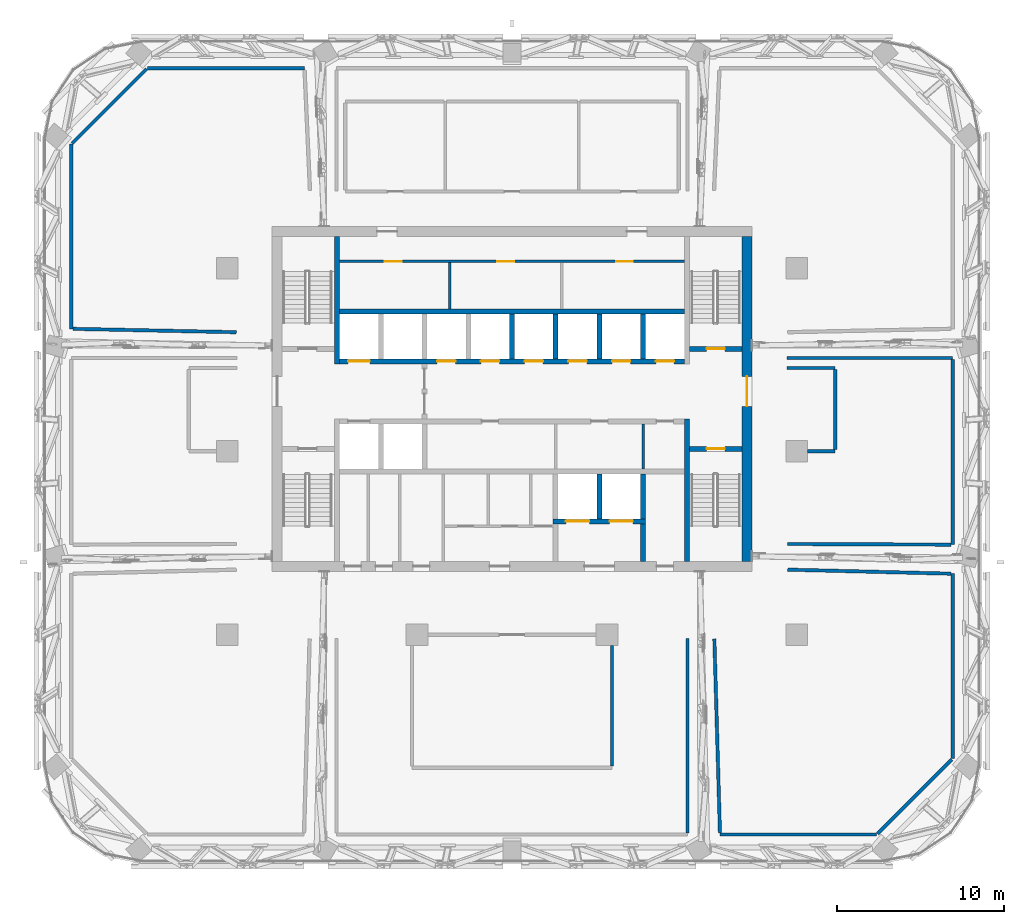
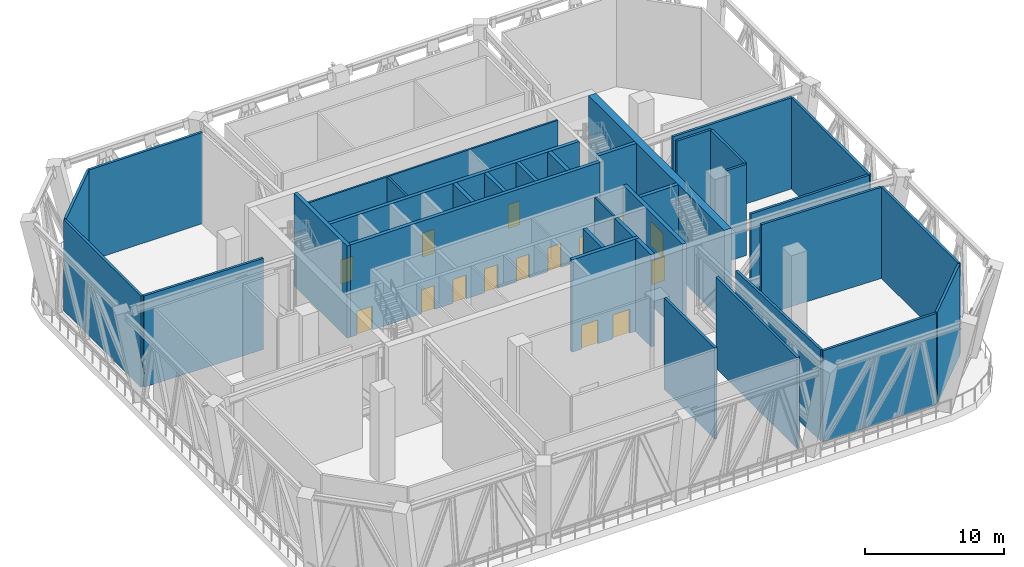
# One storey, part 7 of 24: 35 walls, 15 doors, 15 openings.
"""IFC4 building model written with IfcOpenShell, lengths in metres."""

import ifcopenshell
import ifcopenshell.guid

model = None  # the IFC model being written
_history = None  # IfcOwnerHistory: only IFC2X3 demands one
_inside = {}  # id of a spatial element -> (the spatial element, [elements in it])
_under = {}  # id of a project, library or spatial element -> (it, [spatial elements below it])
_declared = {}  # id of a project -> (the project, [libraries it declares])
_typed = {}  # id of a type object -> (the type object, [elements of that type])
_made_of = {}  # id of a material, layer set ... -> (it, [elements and type objects made of it])


def new_model(schema):
    """Start an empty IFC model of exactly this schema.

    Asked for "IFC4X3", IfcOpenShell would pick the latest addendum, in which some entities
    have other attributes; the version numbers below select the first issue.
    IFC2X3 requires an IfcOwnerHistory on every rooted entity: one is made here for all.
    """
    global model, _history
    if schema == "IFC4X3":
        model = ifcopenshell.file(schema_version=(4, 3, 0, 0))
    else:
        model = ifcopenshell.file(schema=schema)
    _inside.clear()
    _under.clear()
    _declared.clear()
    _typed.clear()
    _made_of.clear()
    _history = None
    if model.schema == "IFC2X3":
        org = make("IfcOrganization", Name="unknown")
        user = make(
            "IfcPersonAndOrganization",
            ThePerson=make("IfcPerson", FamilyName="unknown"),
            TheOrganization=org,
        )
        app = make(
            "IfcApplication",
            ApplicationDeveloper=org,
            Version="unknown",
            ApplicationFullName="unknown",
            ApplicationIdentifier="unknown",
        )
        _history = make(
            "IfcOwnerHistory",
            OwningUser=user,
            OwningApplication=app,
            ChangeAction="ADDED",
            CreationDate=0,
        )
    return model


def make(cls, **values):
    """One entity of the class cls with the attributes given. An attribute that is None is left unset."""
    return model.create_entity(
        cls, **{name: value for name, value in values.items() if value is not None}
    )


def rooted(cls, **values):
    """An entity with a GlobalId (a new one), such as an element, a storey or a relation."""
    return make(cls, GlobalId=ifcopenshell.guid.new(), OwnerHistory=_history, **values)


def si_unit(unit_type, name, prefix=None):
    """IfcSIUnit, for example si_unit("LENGTHUNIT", "METRE", prefix="MILLI")."""
    return make("IfcSIUnit", UnitType=unit_type, Prefix=prefix, Name=name)


def assignment(units):
    """IfcUnitAssignment: the units of a project."""
    return None if units is None else make("IfcUnitAssignment", Units=units)


def point(xyz):
    """IfcCartesianPoint."""
    return None if xyz is None else make("IfcCartesianPoint", Coordinates=xyz)


def direction(xyz):
    """IfcDirection."""
    return None if xyz is None else make("IfcDirection", DirectionRatios=xyz)


def frame(location, z_axis=None, x_axis=None):
    """IfcAxis2Placement3D, a coordinate frame: its origin and axes. An axis left out is left unset."""
    return make(
        "IfcAxis2Placement3D",
        Location=point(location),
        Axis=direction(z_axis),
        RefDirection=direction(x_axis),
    )


def frame_2d(location, x_axis=None):
    """IfcAxis2Placement2D, a coordinate frame in the plane: its origin and x axis."""
    return make(
        "IfcAxis2Placement2D", Location=point(location), RefDirection=direction(x_axis)
    )


def origin():
    """The frame at (0, 0, 0) with its axes left unset."""
    return frame((0.0, 0.0, 0.0))


def place(relative_to, where):
    """IfcLocalPlacement: puts the frame where relative to a parent placement (None: the world)."""
    return make(
        "IfcLocalPlacement", PlacementRelTo=relative_to, RelativePlacement=where
    )


def context(
    kind, dimensions, precision=None, world=None, true_north=None, identifier=None
):
    """IfcGeometricRepresentationContext, for example the 3D "Model" context."""
    return make(
        "IfcGeometricRepresentationContext",
        ContextIdentifier=identifier,
        ContextType=kind,
        CoordinateSpaceDimension=dimensions,
        Precision=precision,
        WorldCoordinateSystem=world,
        TrueNorth=true_north,
    )


def subcontext(parent, identifier, kind, view, scale=None):
    """IfcGeometricRepresentationSubContext, for example "Body" below "Model"."""
    return make(
        "IfcGeometricRepresentationSubContext",
        ContextIdentifier=identifier,
        ContextType=kind,
        ParentContext=parent,
        TargetScale=scale,
        TargetView=view,
    )


def project(units=None, contexts=None):
    """IfcProject with its units and contexts."""
    return rooted(
        "IfcProject",
        Name="project",
        RepresentationContexts=contexts,
        UnitsInContext=assignment(units),
    )


def spatial(cls, under=None, at=None, **own):
    """A site, building, storey or space (cls), placed at a placement, below another one or the project."""
    s = rooted(cls, ObjectPlacement=at, **own)
    if under is not None:
        _under.setdefault(under.id(), (under, []))[1].append(s)
    return s


def profile(cls, at=None, kind="AREA", **sizes):
    """A parametric profile (cls). Its sizes go by their IFC names, for example OverallWidth=200.0."""
    return make(cls, ProfileType=kind, Position=at, **sizes)


def rectangle(**sizes):
    """IfcRectangleProfileDef."""
    return profile("IfcRectangleProfileDef", **sizes)


def extrude(swept, where, along, depth):
    """IfcExtrudedAreaSolid: the profile swept, set in the frame where, extruded along a direction by depth."""
    return make(
        "IfcExtrudedAreaSolid",
        SweptArea=swept,
        Position=where,
        ExtrudedDirection=direction(along),
        Depth=depth,
    )


def shape(context_of_items, identifier, shape_type, items):
    """IfcShapeRepresentation: the items that make up one representation, for example the "Body"."""
    return make(
        "IfcShapeRepresentation",
        ContextOfItems=context_of_items,
        RepresentationIdentifier=identifier,
        RepresentationType=shape_type,
        Items=items,
    )


def material(Name=None, Category=None):
    """IfcMaterial."""
    return make("IfcMaterial", Name=Name, Category=Category)


def layer(
    of_material, thickness, ventilated=None, Name=None, Category=None, Priority=None
):
    """IfcMaterialLayer: one layer of a wall or slab, of a material (None: an air gap)."""
    return make(
        "IfcMaterialLayer",
        Material=of_material,
        LayerThickness=thickness,
        IsVentilated=ventilated,
        Name=Name,
        Category=Category,
        Priority=Priority,
    )


def layer_set(layers, Name=None):
    """IfcMaterialLayerSet."""
    return make("IfcMaterialLayerSet", MaterialLayers=layers, LayerSetName=Name)


def made_of(thing, what):
    """Note that an element or type object is made of a material, layer set ...; save() writes the relation."""
    if what is not None:
        _made_of.setdefault(what.id(), (what, []))[1].append(thing)
    return thing


def type_object(cls, material=None, **own):
    """A type object (cls), such as IfcWallType, which elements share."""
    return made_of(rooted(cls, **own), material)


def element(
    cls,
    number,
    at=None,
    inside=None,
    cuts=None,
    type_object=None,
    material=None,
    context=None,
    identifier="Body",
    shape_type=None,
    held_by="IfcProductDefinitionShape",
    body=None,
    shapes=None,
    **own,
):
    """One element of the class cls, such as IfcWall. Its Tag is "e" and its number.

    at: its placement. inside: the storey or other place that contains it. cuts: it is an
    opening in that element (IfcRelVoidsElement). A single representation is given by context,
    identifier, shape_type and body (its items); several are given by shapes. held_by: the class
    of the entity that holds the representations. save() writes the other relations.
    """
    e = rooted(cls, Tag="e%d" % number, ObjectPlacement=at, **own)
    if body is not None:
        shapes = [shape(context, identifier, shape_type, body)]
    if shapes is not None:
        e.Representation = make(held_by, Representations=shapes)
    if inside is not None:
        _inside.setdefault(inside.id(), (inside, []))[1].append(e)
    if cuts is not None:
        rooted(
            "IfcRelVoidsElement", RelatingBuildingElement=cuts, RelatedOpeningElement=e
        )
    if type_object is not None:
        _typed.setdefault(type_object.id(), (type_object, []))[1].append(e)
    return made_of(e, material)


def fill(opening, filler):
    """IfcRelFillsElement: the door or window that sits in an opening."""
    return rooted(
        "IfcRelFillsElement",
        RelatingOpeningElement=opening,
        RelatedBuildingElement=filler,
    )


def aggregate(whole, parts):
    """IfcRelAggregates: a whole, such as a stair, and the parts it consists of."""
    return rooted("IfcRelAggregates", RelatingObject=whole, RelatedObjects=parts)


def save(model, path):
    """Write the relations noted so far, then the file.

    IfcRelAggregates (storeys below a building ...), IfcRelContainedInSpatialStructure (elements
    in a storey), IfcRelDefinesByType, IfcRelAssociatesMaterial and IfcRelDeclares: one each for
    every whole, place, type object, material and project.
    """
    for whole, parts in _under.values():
        aggregate(whole, parts)
    for where, things in _inside.values():
        rooted(
            "IfcRelContainedInSpatialStructure",
            RelatedElements=things,
            RelatingStructure=where,
        )
    for kind, things in _typed.values():
        rooted("IfcRelDefinesByType", RelatedObjects=things, RelatingType=kind)
    for what, things in _made_of.values():
        rooted("IfcRelAssociatesMaterial", RelatedObjects=things, RelatingMaterial=what)
    for by, libraries in _declared.values():
        rooted("IfcRelDeclares", RelatingContext=by, RelatedDefinitions=libraries)
    model.write(path)


model = new_model("IFC4")

# Units and contexts
model_context = context("Model", 3, precision=1e-05, world=origin(), true_north=direction((0.0, 1.0)))
body_context = subcontext(model_context, "Body", "Model", "MODEL_VIEW")
ifc_project = project(units=[si_unit("LENGTHUNIT", "METRE"), si_unit("AREAUNIT", "SQUARE_METRE"), si_unit("VOLUMEUNIT", "CUBIC_METRE"), si_unit("PLANEANGLEUNIT", "RADIAN"), si_unit("MASSUNIT", "GRAM", prefix="KILO")], contexts=[model_context])

# Site, building, storey
site_placement = place(None, origin())
site = spatial("IfcSite", under=ifc_project, at=site_placement, CompositionType="ELEMENT")
building_placement = place(site_placement, origin())
building = spatial("IfcBuilding", under=site, at=building_placement, Name="Mopane Tessera Tower", CompositionType="ELEMENT")
storey_placement = place(building_placement, frame((0.0, 0.0, 259.0)))
storey = spatial("IfcBuildingStorey", under=building, at=storey_placement, Name="L56", CompositionType="ELEMENT", Elevation=259.0)

# Wall
ifc_material_1 = material(Name="Fire-rated gypsum board partition")
ifc_layer_1 = layer(ifc_material_1, 0.14990234375)
ifc_layer_set_1 = layer_set([ifc_layer_1], Name="Fire-rated gypsum board partition")
wall_type_1 = type_object("IfcWallType", Name="Core room partition 150 mm", PredefinedType="PARTITIONING", material=ifc_layer_set_1)
wall_1_placement = place(storey_placement, frame((-3.75, 8.550048828125, 0.0), z_axis=(0.0, 0.0, 1.0), x_axis=(0.0, 1.0, 0.0)))
element("IfcWall", 1, at=wall_1_placement, inside=storey, type_object=wall_type_1, Name="L56 Room partition", PredefinedType="PARTITIONING", context=body_context, shape_type="SweptSolid", body=[
    extrude(rectangle(XDim=2.77490234375, YDim=0.14990234375, at=frame_2d((1.387451171875, 0.0))), origin(), (0.0, 0.0, 1.0), 8.10009765625),
])

# Wall, openings, doors
wall_2_placement = place(storey_placement, frame((-10.35009765625, 11.39990234375, 0.0), z_axis=(0.0, 0.0, 1.0), x_axis=(1.0, 0.0, 0.0)))
wall_2 = element("IfcWall", 2, at=wall_2_placement, inside=storey, type_object=wall_type_1, Name="L56 Corridor wall", PredefinedType="PARTITIONING", context=body_context, shape_type="SweptSolid", body=[
    extrude(rectangle(XDim=20.7001953125, YDim=0.14990234375, at=frame_2d((10.35009765625, 0.0))), origin(), (0.0, 0.0, 1.0), 8.10009765625),
])
opening_1_placement = place(wall_2_placement, frame((2.72509765625, 0.0, 0.0)))
opening_1 = element("IfcOpeningElement", 3, at=opening_1_placement, cuts=wall_2, Name="Opening RD1", PredefinedType="OPENING", context=body_context, shape_type="SweptSolid", body=[
    extrude(rectangle(XDim=1.0, YDim=2.10009765625, at=frame_2d((0.5, 1.050048828125))), frame((0.0, 0.0869140625, 0.0), z_axis=(0.0, -1.0, 0.0), x_axis=(1.0, 0.0, 0.0)), (0.0, 0.0, 1.0), 0.173828125),
])
opening_2_placement = place(wall_2_placement, frame((9.47509765625, 0.0, 0.0)))
opening_2 = element("IfcOpeningElement", 4, at=opening_2_placement, cuts=wall_2, Name="Opening RD1", PredefinedType="OPENING", context=body_context, shape_type="SweptSolid", body=[
    extrude(rectangle(XDim=1.0, YDim=2.10009765625, at=frame_2d((0.5, 1.050048828125))), frame((0.0, 0.0869140625, 0.0), z_axis=(0.0, -1.0, 0.0), x_axis=(1.0, 0.0, 0.0)), (0.0, 0.0, 1.0), 0.173828125),
])
opening_3_placement = place(wall_2_placement, frame((16.60009765625, 0.0, 0.0)))
opening_3 = element("IfcOpeningElement", 5, at=opening_3_placement, cuts=wall_2, Name="Opening RD1", PredefinedType="OPENING", context=body_context, shape_type="SweptSolid", body=[
    extrude(rectangle(XDim=1.0, YDim=2.10009765625, at=frame_2d((0.5, 1.050048828125))), frame((0.0, 0.0869140625, 0.0), z_axis=(0.0, -1.0, 0.0), x_axis=(1.0, 0.0, 0.0)), (0.0, 0.0, 1.0), 0.173828125),
])
ifc_material_2 = material(Name="Timber door", Category="wood")
door_type_1 = type_object("IfcDoorType", Name="Core room door 1000 x 2100", OperationType="SINGLE_SWING_LEFT", PredefinedType="DOOR", material=ifc_material_2)
door_1_placement = place(opening_1_placement, origin())
door_1 = element("IfcDoor", 6, at=door_1_placement, inside=storey, type_object=door_type_1, Name="L56 Room door", OperationType="SINGLE_SWING_LEFT", OverallHeight=2.10009765625, OverallWidth=1.0, PredefinedType="DOOR", context=body_context, shape_type="SweptSolid", body=[
    extrude(rectangle(XDim=1.0, YDim=2.10009765625, at=frame_2d((0.5, 1.050048828125))), frame((0.0, 0.02490234375, 0.0), z_axis=(0.0, -1.0, 0.0), x_axis=(1.0, 0.0, 0.0)), (0.0, 0.0, 1.0), 0.050048828125),
])
fill(opening_1, door_1)
door_2_placement = place(opening_2_placement, origin())
door_2 = element("IfcDoor", 7, at=door_2_placement, inside=storey, type_object=door_type_1, Name="L56 Room door", OperationType="SINGLE_SWING_LEFT", OverallHeight=2.10009765625, OverallWidth=1.0, PredefinedType="DOOR", context=body_context, shape_type="SweptSolid", body=[
    extrude(rectangle(XDim=1.0, YDim=2.10009765625, at=frame_2d((0.5, 1.050048828125))), frame((0.0, 0.02490234375, 0.0), z_axis=(0.0, -1.0, 0.0), x_axis=(1.0, 0.0, 0.0)), (0.0, 0.0, 1.0), 0.050048828125),
])
fill(opening_2, door_2)
door_3_placement = place(opening_3_placement, origin())
door_3 = element("IfcDoor", 8, at=door_3_placement, inside=storey, type_object=door_type_1, Name="L56 Room door", OperationType="SINGLE_SWING_LEFT", OverallHeight=2.10009765625, OverallWidth=1.0, PredefinedType="DOOR", context=body_context, shape_type="SweptSolid", body=[
    extrude(rectangle(XDim=1.0, YDim=2.10009765625, at=frame_2d((0.5, 1.050048828125))), frame((0.0, 0.02490234375, 0.0), z_axis=(0.0, -1.0, 0.0), x_axis=(1.0, 0.0, 0.0)), (0.0, 0.0, 1.0), 0.050048828125),
])
fill(opening_3, door_3)

# Wall
wall_3_placement = place(storey_placement, frame((7.875, -1.050048828125, 0.0), z_axis=(0.0, 0.0, 1.0), x_axis=(0.0, 1.0, 0.0)))
element("IfcWall", 9, at=wall_3_placement, inside=storey, type_object=wall_type_1, Name="L56 Room partition", PredefinedType="PARTITIONING", context=body_context, shape_type="SweptSolid", body=[
    extrude(rectangle(XDim=2.699951171875, YDim=0.14990234375, at=frame_2d((1.35009765625, 0.0))), origin(), (0.0, 0.0, 1.0), 8.10009765625),
])

# Wall, opening, door
ifc_material_3 = material(Name="Concrete C70/85", Category="concrete")
ifc_layer_2 = layer(ifc_material_3, 0.60009765625)
ifc_layer_set_2 = layer_set([ifc_layer_2], Name="Concrete C70/85")
wall_type_2 = type_object("IfcWallType", Name="Core shear wall 600 mm", PredefinedType="SHEAR", material=ifc_layer_set_2)
wall_4_placement = place(storey_placement, frame((14.10009765625, -6.60009765625, 0.0), z_axis=(0.0, 0.0, 1.0), x_axis=(0.0, 1.0, 0.0)))
wall_4 = element("IfcWall", 10, at=wall_4_placement, inside=storey, type_object=wall_type_2, Name="L56 Core wall east", PredefinedType="SHEAR", context=body_context, shape_type="SweptSolid", body=[
    extrude(rectangle(XDim=19.5, YDim=0.60009765625, at=frame_2d((9.75, 0.0))), origin(), (0.0, 0.0, 1.0), 8.10009765625),
])
opening_4_placement = place(wall_4_placement, frame((9.300048828125, 0.0, 0.0)))
opening_4 = element("IfcOpeningElement", 11, at=opening_4_placement, cuts=wall_4, Name="Opening SD2", PredefinedType="OPENING", context=body_context, shape_type="SweptSolid", body=[
    extrude(rectangle(XDim=1.800048828125, YDim=2.10009765625, at=frame_2d((0.89990234375, 1.050048828125))), frame((0.0, 0.31201171875, 0.0), z_axis=(0.0, -1.0, 0.0), x_axis=(1.0, 0.0, 0.0)), (0.0, 0.0, 1.0), 0.6240234375),
])
ifc_material_4 = material(Name="Steel fire door", Category="steel")
door_type_2 = type_object("IfcDoorType", Name="Core entrance double door 1800 x 2100", OperationType="DOUBLE_DOOR_SINGLE_SWING", PredefinedType="DOOR", material=ifc_material_4)
door_4_placement = place(opening_4_placement, origin())
door_4 = element("IfcDoor", 12, at=door_4_placement, inside=storey, type_object=door_type_2, Name="L56 Core entrance door east", OperationType="DOUBLE_DOOR_SINGLE_SWING", OverallHeight=2.10009765625, OverallWidth=1.800048828125, PredefinedType="DOOR", context=body_context, shape_type="SweptSolid", body=[
    extrude(rectangle(XDim=1.800048828125, YDim=2.10009765625, at=frame_2d((0.89990234375, 1.050048828125))), frame((0.0, 0.02490234375, 0.0), z_axis=(0.0, -1.0, 0.0), x_axis=(1.0, 0.0, 0.0)), (0.0, 0.0, 1.0), 0.050048828125),
])
fill(opening_4, door_4)

# Walls
ifc_material_5 = material(Name="Concrete C60/75", Category="concrete")
ifc_layer_3 = layer(ifc_material_5, 0.300048828125)
ifc_layer_set_3 = layer_set([ifc_layer_3], Name="Concrete C60/75")
wall_type_3 = type_object("IfcWallType", Name="Core spine wall 300 mm", PredefinedType="SHEAR", material=ifc_layer_set_3)
wall_5_placement = place(storey_placement, frame((-10.5, 5.25, 0.0), z_axis=(0.0, 0.0, 1.0), x_axis=(0.0, 1.0, 0.0)))
element("IfcWall", 13, at=wall_5_placement, inside=storey, type_object=wall_type_3, Name="L56 Core spine wall", PredefinedType="SHEAR", context=body_context, shape_type="SweptSolid", body=[
    extrude(rectangle(XDim=7.64990234375, YDim=0.300048828125, at=frame_2d((3.824951171875, 0.0))), origin(), (0.0, 0.0, 1.0), 8.10009765625),
])
wall_6_placement = place(storey_placement, frame((10.5, -6.60009765625, 0.0), z_axis=(0.0, 0.0, 1.0), x_axis=(0.0, 1.0, 0.0)))
element("IfcWall", 14, at=wall_6_placement, inside=storey, type_object=wall_type_3, Name="L56 Core spine wall", PredefinedType="SHEAR", context=body_context, shape_type="SweptSolid", body=[
    extrude(rectangle(XDim=8.550048828125, YDim=0.300048828125, at=frame_2d((4.27490234375, 0.0))), origin(), (0.0, 0.0, 1.0), 8.10009765625),
])
ifc_material_6 = material(Name="Gypsum board on steel studs, two layers each face, mineral wool infill", Category="steel")
ifc_layer_4 = layer(ifc_material_6, 0.199951171875)
ifc_layer_set_4 = layer_set([ifc_layer_4], Name="Gypsum board on steel studs, two layers each face, mineral wool infill")
wall_type_4 = type_object("IfcWallType", Name="Gypsum board corridor wall 200, rated EI 60", PredefinedType="PARTITIONING", material=ifc_layer_set_4)
wall_7_placement = place(storey_placement, frame((12.485107421875, -23.0, 0.0), z_axis=(0.0, 0.0, 1.0), x_axis=(1.0, 0.0, 0.0)))
element("IfcWall", 15, at=wall_7_placement, inside=storey, type_object=wall_type_4, Name="Partition L56:002", PredefinedType="PARTITIONING", context=body_context, shape_type="SweptSolid", body=[
    extrude(rectangle(XDim=9.40478515625, YDim=0.199951171875, at=frame_2d((4.702392578125, 0.0))), origin(), (0.0, 0.0, 1.0), 8.0),
])
wall_8_placement = place(storey_placement, frame((17.75, 0.0, 0.0), z_axis=(0.0, 0.0, 1.0), x_axis=(1.0, 0.0, 0.0)))
element("IfcWall", 16, at=wall_8_placement, inside=storey, type_object=wall_type_4, Name="Partition L56:006", PredefinedType="PARTITIONING", context=body_context, shape_type="SweptSolid", body=[
    extrude(rectangle(XDim=1.64990234375, YDim=0.199951171875, at=frame_2d((0.824951171875, 0.0))), origin(), (0.0, 0.0, 1.0), 8.0),
])
wall_9_placement = place(storey_placement, frame((16.510009765625, 5.0, 0.0), z_axis=(0.0, 0.0, 1.0), x_axis=(1.0, 0.0, 0.0)))
element("IfcWall", 17, at=wall_9_placement, inside=storey, type_object=wall_type_4, Name="Partition L56:008", PredefinedType="PARTITIONING", context=body_context, shape_type="SweptSolid", body=[
    extrude(rectangle(XDim=2.889892578125, YDim=0.199951171875, at=frame_2d((1.44482421875, 0.0))), origin(), (0.0, 0.0, 1.0), 8.0),
])
wall_10_placement = place(storey_placement, frame((16.52001953125, 5.60498046875, 0.0), z_axis=(0.0, 0.0, 1.0), x_axis=(1.0, 0.0, 0.0)))
element("IfcWall", 18, at=wall_10_placement, inside=storey, type_object=wall_type_4, Name="Partition L56:010", PredefinedType="PARTITIONING", context=body_context, shape_type="SweptSolid", body=[
    extrude(rectangle(XDim=9.929931640625, YDim=0.199951171875, at=frame_2d((4.96484375, 0.0))), origin(), (0.0, 0.0, 1.0), 8.0),
])
wall_11_placement = place(storey_placement, frame((-21.889892578125, 23.0, 0.0), z_axis=(0.0, 0.0, 1.0), x_axis=(1.0, 0.0, 0.0)))
element("IfcWall", 19, at=wall_11_placement, inside=storey, type_object=wall_type_4, Name="Partition L56:015", PredefinedType="PARTITIONING", context=body_context, shape_type="SweptSolid", body=[
    extrude(rectangle(XDim=9.434814453125, YDim=0.199951171875, at=frame_2d((4.71728515625, 0.0))), origin(), (0.0, 0.0, 1.0), 8.0),
])
wall_12_placement = place(storey_placement, frame((-26.449951171875, 7.35498046875, 0.0), z_axis=(0.0, 0.0, 1.0), x_axis=(0.0, 1.0, 0.0)))
element("IfcWall", 20, at=wall_12_placement, inside=storey, type_object=wall_type_4, Name="Partition L56:020", PredefinedType="PARTITIONING", context=body_context, shape_type="SweptSolid", body=[
    extrude(rectangle(XDim=11.0849609375, YDim=0.199951171875, at=frame_2d((5.54248046875, 0.0))), origin(), (0.0, 0.0, 1.0), 8.0),
])
wall_13_placement = place(storey_placement, frame((6.0, -18.89990234375, 0.0), z_axis=(0.0, 0.0, 1.0), x_axis=(0.0, 1.0, 0.0)))
element("IfcWall", 21, at=wall_13_placement, inside=storey, type_object=wall_type_4, Name="Partition L56:028", PredefinedType="PARTITIONING", context=body_context, shape_type="SweptSolid", body=[
    extrude(rectangle(XDim=7.25, YDim=0.199951171875, at=frame_2d((3.625, 0.0))), origin(), (0.0, 0.0, 1.0), 8.0),
])
wall_14_placement = place(storey_placement, frame((10.530029296875, -22.89990234375, 0.0), z_axis=(0.0, 0.0, 1.0), x_axis=(0.0, 1.0, 0.0)))
element("IfcWall", 22, at=wall_14_placement, inside=storey, type_object=wall_type_4, Name="Partition L56:030", PredefinedType="PARTITIONING", context=body_context, shape_type="SweptSolid", body=[
    extrude(rectangle(XDim=11.679931640625, YDim=0.199951171875, at=frame_2d((5.83984375, 0.0))), origin(), (0.0, 0.0, 1.0), 8.0),
])
wall_15_placement = place(storey_placement, frame((19.39990234375, 0.10009765625, 0.0), z_axis=(0.0, 0.0, 1.0), x_axis=(0.0, 1.0, 0.0)))
element("IfcWall", 23, at=wall_15_placement, inside=storey, type_object=wall_type_4, Name="Partition L56:032", PredefinedType="PARTITIONING", context=body_context, shape_type="SweptSolid", body=[
    extrude(rectangle(XDim=4.7998046875, YDim=0.199951171875, at=frame_2d((2.39990234375, 0.0))), origin(), (0.0, 0.0, 1.0), 8.0),
])
wall_16_placement = place(storey_placement, frame((26.449951171875, -18.43994140625, 0.0), z_axis=(0.0, 0.0, 1.0), x_axis=(0.0, 1.0, 0.0)))
element("IfcWall", 24, at=wall_16_placement, inside=storey, type_object=wall_type_4, Name="Partition L56:033", PredefinedType="PARTITIONING", context=body_context, shape_type="SweptSolid", body=[
    extrude(rectangle(XDim=11.094970703125, YDim=0.199951171875, at=frame_2d((5.54736328125, 0.0))), origin(), (0.0, 0.0, 1.0), 8.0),
])
wall_17_placement = place(storey_placement, frame((26.449951171875, -5.60009765625, 0.0), z_axis=(0.0, 0.0, 1.0), x_axis=(0.0, 1.0, 0.0)))
element("IfcWall", 25, at=wall_17_placement, inside=storey, type_object=wall_type_4, Name="Partition L56:034", PredefinedType="PARTITIONING", context=body_context, shape_type="SweptSolid", body=[
    extrude(rectangle(XDim=11.10498046875, YDim=0.199951171875, at=frame_2d((5.552490234375, 0.0))), origin(), (0.0, 0.0, 1.0), 8.0),
])
wall_18_placement = place(storey_placement, frame((-16.550048828125, 7.15087890625, 0.0), z_axis=(0.0, 0.0, 1.0), x_axis=(-0.999787325343, 0.020622901905, 0.0)))
element("IfcWall", 26, at=wall_18_placement, inside=storey, type_object=wall_type_4, Name="Partition L56:037", PredefinedType="PARTITIONING", context=body_context, shape_type="SweptSolid", body=[
    extrude(rectangle(XDim=9.80224609375, YDim=0.199951171875, at=frame_2d((4.901123046875, 0.0))), origin(), (0.0, 0.0, 1.0), 8.0),
])
wall_19_placement = place(storey_placement, frame((-26.40087890625, 18.489013671875, 0.0), z_axis=(0.0, 0.0, 1.0), x_axis=(0.707106781187, 0.707106781187, 0.0)))
element("IfcWall", 27, at=wall_19_placement, inside=storey, type_object=wall_type_4, Name="Partition L56:038", PredefinedType="PARTITIONING", context=body_context, shape_type="SweptSolid", body=[
    extrude(rectangle(XDim=6.31005859375, YDim=0.199951171875, at=frame_2d((3.155029296875, 0.0))), origin(), (0.0, 0.0, 1.0), 8.0),
])
wall_20_placement = place(storey_placement, frame((16.550048828125, -7.10107421875, 0.0), z_axis=(0.0, 0.0, 1.0), x_axis=(0.999695391184, -0.024680454714, 0.0)))
element("IfcWall", 28, at=wall_20_placement, inside=storey, type_object=wall_type_4, Name="Partition L56:043", PredefinedType="PARTITIONING", context=body_context, shape_type="SweptSolid", body=[
    extrude(rectangle(XDim=9.802978515625, YDim=0.199951171875, at=frame_2d((4.9013671875, 0.0))), origin(), (0.0, 0.0, 1.0), 8.0),
])
wall_21_placement = place(storey_placement, frame((26.40087890625, -18.489013671875, 0.0), z_axis=(0.0, 0.0, 1.0), x_axis=(-0.707106781187, -0.707106781187, 0.0)))
element("IfcWall", 29, at=wall_21_placement, inside=storey, type_object=wall_type_4, Name="Partition L56:044", PredefinedType="PARTITIONING", context=body_context, shape_type="SweptSolid", body=[
    extrude(rectangle(XDim=6.31005859375, YDim=0.199951171875, at=frame_2d((3.155029296875, 0.0))), origin(), (0.0, 0.0, 1.0), 8.0),
])
wall_22_placement = place(storey_placement, frame((12.48193359375, -22.89990234375, 0.0), z_axis=(0.0, 0.0, 1.0), x_axis=(-0.02882409722, 0.999584499389, 0.0)))
element("IfcWall", 30, at=wall_22_placement, inside=storey, type_object=wall_type_4, Name="Partition L56:045", PredefinedType="PARTITIONING", context=body_context, shape_type="SweptSolid", body=[
    extrude(rectangle(XDim=11.65478515625, YDim=0.199951171875, at=frame_2d((5.827392578125, 0.0))), origin(), (0.0, 0.0, 1.0), 8.0),
])
wall_23_placement = place(storey_placement, frame((26.35009765625, -5.60009765625, 0.0), z_axis=(0.0, 0.0, 1.0), x_axis=(-0.999991654048, 0.004085564168, 0.0)))
element("IfcWall", 31, at=wall_23_placement, inside=storey, type_object=wall_type_4, Name="Partition L56:049", PredefinedType="PARTITIONING", context=body_context, shape_type="SweptSolid", body=[
    extrude(rectangle(XDim=9.800048828125, YDim=0.199951171875, at=frame_2d((4.89990234375, 0.0))), origin(), (0.0, 0.0, 1.0), 8.0),
])

# Wall, opening, door
ifc_material_7 = material(Name="Concrete C50/60", Category="concrete")
ifc_layer_5 = layer(ifc_material_7, 0.300048828125)
ifc_layer_set_5 = layer_set([ifc_layer_5], Name="Concrete C50/60")
wall_type_5 = type_object("IfcWallType", Name="Lift and stair shaft wall 300 mm", PredefinedType="SOLIDWALL", material=ifc_layer_set_5)
wall_24_placement = place(storey_placement, frame((10.64990234375, 0.14990234375, 0.0), z_axis=(0.0, 0.0, 1.0), x_axis=(1.0, 0.0, 0.0)))
wall_24 = element("IfcWall", 32, at=wall_24_placement, inside=storey, type_object=wall_type_5, Name="L56 Stair enclosure wall", PredefinedType="SOLIDWALL", context=body_context, shape_type="SweptSolid", body=[
    extrude(rectangle(XDim=3.150146484375, YDim=0.300048828125, at=frame_2d((1.5751953125, 0.0))), origin(), (0.0, 0.0, 1.0), 8.10009765625),
])
opening_5_placement = place(wall_24_placement, frame((1.02490234375, 0.0, 0.0)))
opening_5 = element("IfcOpeningElement", 33, at=opening_5_placement, cuts=wall_24, Name="Opening SD1", PredefinedType="OPENING", context=body_context, shape_type="SweptSolid", body=[
    extrude(rectangle(XDim=1.10009765625, YDim=2.10009765625, at=frame_2d((0.550048828125, 1.050048828125))), frame((0.0, 0.162109375, 0.0), z_axis=(0.0, -1.0, 0.0), x_axis=(1.0, 0.0, 0.0)), (0.0, 0.0, 1.0), 0.323974609375),
])
ifc_material_8 = material(Name="Steel fire door", Category="steel")
door_type_3 = type_object("IfcDoorType", Name="Stair fire door 1100 x 2100", OperationType="SINGLE_SWING_LEFT", PredefinedType="DOOR", material=ifc_material_8)
door_5_placement = place(opening_5_placement, origin())
door_5 = element("IfcDoor", 34, at=door_5_placement, inside=storey, type_object=door_type_3, Name="L56 Stair door ST3", OperationType="SINGLE_SWING_RIGHT", OverallHeight=2.10009765625, OverallWidth=1.10009765625, PredefinedType="DOOR", context=body_context, shape_type="SweptSolid", body=[
    extrude(rectangle(XDim=1.10009765625, YDim=2.10009765625, at=frame_2d((0.550048828125, 1.050048828125))), frame((0.0, 0.02490234375, 0.0), z_axis=(0.0, -1.0, 0.0), x_axis=(1.0, 0.0, 0.0)), (0.0, 0.0, 1.0), 0.050048828125),
])
fill(opening_5, door_5)

wall_25_placement = place(storey_placement, frame((10.64990234375, 6.14990234375, 0.0), z_axis=(0.0, 0.0, 1.0), x_axis=(1.0, 0.0, 0.0)))
wall_25 = element("IfcWall", 35, at=wall_25_placement, inside=storey, type_object=wall_type_5, Name="L56 Stair enclosure wall", PredefinedType="SOLIDWALL", context=body_context, shape_type="SweptSolid", body=[
    extrude(rectangle(XDim=3.150146484375, YDim=0.300048828125, at=frame_2d((1.5751953125, 0.0))), origin(), (0.0, 0.0, 1.0), 8.10009765625),
])
opening_6_placement = place(wall_25_placement, frame((1.02490234375, 0.0, 0.0)))
opening_6 = element("IfcOpeningElement", 36, at=opening_6_placement, cuts=wall_25, Name="Opening SD1", PredefinedType="OPENING", context=body_context, shape_type="SweptSolid", body=[
    extrude(rectangle(XDim=1.10009765625, YDim=2.10009765625, at=frame_2d((0.550048828125, 1.050048828125))), frame((0.0, 0.162109375, 0.0), z_axis=(0.0, -1.0, 0.0), x_axis=(1.0, 0.0, 0.0)), (0.0, 0.0, 1.0), 0.323974609375),
])
door_6_placement = place(opening_6_placement, origin())
door_6 = element("IfcDoor", 37, at=door_6_placement, inside=storey, type_object=door_type_3, Name="L56 Stair door ST4", OperationType="SINGLE_SWING_RIGHT", OverallHeight=2.10009765625, OverallWidth=1.10009765625, PredefinedType="DOOR", context=body_context, shape_type="SweptSolid", body=[
    extrude(rectangle(XDim=1.10009765625, YDim=2.10009765625, at=frame_2d((0.550048828125, 1.050048828125))), frame((0.0, 0.02490234375, 0.0), z_axis=(0.0, -1.0, 0.0), x_axis=(1.0, 0.0, 0.0)), (0.0, 0.0, 1.0), 0.050048828125),
])
fill(opening_6, door_6)

# Wall, openings, doors
wall_26_placement = place(storey_placement, frame((-10.35009765625, 5.39990234375, 0.0), z_axis=(0.0, 0.0, 1.0), x_axis=(1.0, 0.0, 0.0)))
wall_26 = element("IfcWall", 38, at=wall_26_placement, inside=storey, type_object=wall_type_5, Name="L56 Lift shaft front wall", PredefinedType="SOLIDWALL", context=body_context, shape_type="SweptSolid", body=[
    extrude(rectangle(XDim=20.7001953125, YDim=0.300048828125, at=frame_2d((10.35009765625, 0.0))), origin(), (0.0, 0.0, 1.0), 8.10009765625),
])
opening_7_placement = place(wall_26_placement, frame((0.512451171875, 0.0, 0.0)))
opening_7 = element("IfcOpeningElement", 39, at=opening_7_placement, cuts=wall_26, Name="Opening LD2", PredefinedType="OPENING", context=body_context, shape_type="SweptSolid", body=[
    extrude(rectangle(XDim=1.300048828125, YDim=2.10009765625, at=frame_2d((0.64990234375, 1.050048828125))), frame((0.0, 0.162109375, 0.0), z_axis=(0.0, -1.0, 0.0), x_axis=(1.0, 0.0, 0.0)), (0.0, 0.0, 1.0), 0.323974609375),
])
opening_8_placement = place(wall_26_placement, frame((5.862548828125, 0.0, 0.0)))
opening_8 = element("IfcOpeningElement", 40, at=opening_8_placement, cuts=wall_26, Name="Opening LD", PredefinedType="OPENING", context=body_context, shape_type="SweptSolid", body=[
    extrude(rectangle(XDim=1.10009765625, YDim=2.10009765625, at=frame_2d((0.550048828125, 1.050048828125))), frame((0.0, 0.162109375, 0.0), z_axis=(0.0, -1.0, 0.0), x_axis=(1.0, 0.0, 0.0)), (0.0, 0.0, 1.0), 0.323974609375),
])
opening_9_placement = place(wall_26_placement, frame((8.487548828125, 0.0, 0.0)))
opening_9 = element("IfcOpeningElement", 41, at=opening_9_placement, cuts=wall_26, Name="Opening LD", PredefinedType="OPENING", context=body_context, shape_type="SweptSolid", body=[
    extrude(rectangle(XDim=1.10009765625, YDim=2.10009765625, at=frame_2d((0.550048828125, 1.050048828125))), frame((0.0, 0.162109375, 0.0), z_axis=(0.0, -1.0, 0.0), x_axis=(1.0, 0.0, 0.0)), (0.0, 0.0, 1.0), 0.323974609375),
])
opening_10_placement = place(wall_26_placement, frame((11.112548828125, 0.0, 0.0)))
opening_10 = element("IfcOpeningElement", 42, at=opening_10_placement, cuts=wall_26, Name="Opening LD", PredefinedType="OPENING", context=body_context, shape_type="SweptSolid", body=[
    extrude(rectangle(XDim=1.10009765625, YDim=2.10009765625, at=frame_2d((0.550048828125, 1.050048828125))), frame((0.0, 0.162109375, 0.0), z_axis=(0.0, -1.0, 0.0), x_axis=(1.0, 0.0, 0.0)), (0.0, 0.0, 1.0), 0.323974609375),
])
opening_11_placement = place(wall_26_placement, frame((13.737548828125, 0.0, 0.0)))
opening_11 = element("IfcOpeningElement", 43, at=opening_11_placement, cuts=wall_26, Name="Opening LD", PredefinedType="OPENING", context=body_context, shape_type="SweptSolid", body=[
    extrude(rectangle(XDim=1.10009765625, YDim=2.10009765625, at=frame_2d((0.550048828125, 1.050048828125))), frame((0.0, 0.162109375, 0.0), z_axis=(0.0, -1.0, 0.0), x_axis=(1.0, 0.0, 0.0)), (0.0, 0.0, 1.0), 0.323974609375),
])
opening_12_placement = place(wall_26_placement, frame((16.362548828125, 0.0, 0.0)))
opening_12 = element("IfcOpeningElement", 44, at=opening_12_placement, cuts=wall_26, Name="Opening LD", PredefinedType="OPENING", context=body_context, shape_type="SweptSolid", body=[
    extrude(rectangle(XDim=1.10009765625, YDim=2.10009765625, at=frame_2d((0.550048828125, 1.050048828125))), frame((0.0, 0.162109375, 0.0), z_axis=(0.0, -1.0, 0.0), x_axis=(1.0, 0.0, 0.0)), (0.0, 0.0, 1.0), 0.323974609375),
])
opening_13_placement = place(wall_26_placement, frame((18.987548828125, 0.0, 0.0)))
opening_13 = element("IfcOpeningElement", 45, at=opening_13_placement, cuts=wall_26, Name="Opening LD", PredefinedType="OPENING", context=body_context, shape_type="SweptSolid", body=[
    extrude(rectangle(XDim=1.10009765625, YDim=2.10009765625, at=frame_2d((0.550048828125, 1.050048828125))), frame((0.0, 0.162109375, 0.0), z_axis=(0.0, -1.0, 0.0), x_axis=(1.0, 0.0, 0.0)), (0.0, 0.0, 1.0), 0.323974609375),
])
ifc_material_9 = material(Name="Stainless steel sliding door", Category="steel")
door_type_4 = type_object("IfcDoorType", Name="Fire-fighting lift landing door 1300 x 2100", OperationType="DOUBLE_DOOR_SLIDING", PredefinedType="DOOR", material=ifc_material_9)
door_7_placement = place(opening_7_placement, origin())
door_7 = element("IfcDoor", 46, at=door_7_placement, inside=storey, type_object=door_type_4, Name="L56 Lift landing door FF2", OperationType="DOUBLE_DOOR_SLIDING", OverallHeight=2.10009765625, OverallWidth=1.300048828125, PredefinedType="DOOR", context=body_context, shape_type="SweptSolid", body=[
    extrude(rectangle(XDim=1.300048828125, YDim=2.10009765625, at=frame_2d((0.64990234375, 1.050048828125))), frame((0.0, 0.02490234375, 0.0), z_axis=(0.0, -1.0, 0.0), x_axis=(1.0, 0.0, 0.0)), (0.0, 0.0, 1.0), 0.050048828125),
])
fill(opening_7, door_7)
ifc_material_10 = material(Name="Stainless steel sliding door", Category="steel")
door_type_5 = type_object("IfcDoorType", Name="Lift landing door 1100 x 2100", OperationType="DOUBLE_DOOR_SLIDING", PredefinedType="DOOR", material=ifc_material_10)
door_8_placement = place(opening_8_placement, origin())
door_8 = element("IfcDoor", 47, at=door_8_placement, inside=storey, type_object=door_type_5, Name="L56 Lift landing door HR1", OperationType="DOUBLE_DOOR_SLIDING", OverallHeight=2.10009765625, OverallWidth=1.10009765625, PredefinedType="DOOR", context=body_context, shape_type="SweptSolid", body=[
    extrude(rectangle(XDim=1.10009765625, YDim=2.10009765625, at=frame_2d((0.550048828125, 1.050048828125))), frame((0.0, 0.02490234375, 0.0), z_axis=(0.0, -1.0, 0.0), x_axis=(1.0, 0.0, 0.0)), (0.0, 0.0, 1.0), 0.050048828125),
])
fill(opening_8, door_8)
door_9_placement = place(opening_9_placement, origin())
door_9 = element("IfcDoor", 48, at=door_9_placement, inside=storey, type_object=door_type_5, Name="L56 Lift landing door HR2", OperationType="DOUBLE_DOOR_SLIDING", OverallHeight=2.10009765625, OverallWidth=1.10009765625, PredefinedType="DOOR", context=body_context, shape_type="SweptSolid", body=[
    extrude(rectangle(XDim=1.10009765625, YDim=2.10009765625, at=frame_2d((0.550048828125, 1.050048828125))), frame((0.0, 0.02490234375, 0.0), z_axis=(0.0, -1.0, 0.0), x_axis=(1.0, 0.0, 0.0)), (0.0, 0.0, 1.0), 0.050048828125),
])
fill(opening_9, door_9)
door_10_placement = place(opening_10_placement, origin())
door_10 = element("IfcDoor", 49, at=door_10_placement, inside=storey, type_object=door_type_5, Name="L56 Lift landing door HR3", OperationType="DOUBLE_DOOR_SLIDING", OverallHeight=2.10009765625, OverallWidth=1.10009765625, PredefinedType="DOOR", context=body_context, shape_type="SweptSolid", body=[
    extrude(rectangle(XDim=1.10009765625, YDim=2.10009765625, at=frame_2d((0.550048828125, 1.050048828125))), frame((0.0, 0.02490234375, 0.0), z_axis=(0.0, -1.0, 0.0), x_axis=(1.0, 0.0, 0.0)), (0.0, 0.0, 1.0), 0.050048828125),
])
fill(opening_10, door_10)
door_11_placement = place(opening_11_placement, origin())
door_11 = element("IfcDoor", 50, at=door_11_placement, inside=storey, type_object=door_type_5, Name="L56 Lift landing door HR4", OperationType="DOUBLE_DOOR_SLIDING", OverallHeight=2.10009765625, OverallWidth=1.10009765625, PredefinedType="DOOR", context=body_context, shape_type="SweptSolid", body=[
    extrude(rectangle(XDim=1.10009765625, YDim=2.10009765625, at=frame_2d((0.550048828125, 1.050048828125))), frame((0.0, 0.02490234375, 0.0), z_axis=(0.0, -1.0, 0.0), x_axis=(1.0, 0.0, 0.0)), (0.0, 0.0, 1.0), 0.050048828125),
])
fill(opening_11, door_11)
door_12_placement = place(opening_12_placement, origin())
door_12 = element("IfcDoor", 51, at=door_12_placement, inside=storey, type_object=door_type_5, Name="L56 Lift landing door HR5", OperationType="DOUBLE_DOOR_SLIDING", OverallHeight=2.10009765625, OverallWidth=1.10009765625, PredefinedType="DOOR", context=body_context, shape_type="SweptSolid", body=[
    extrude(rectangle(XDim=1.10009765625, YDim=2.10009765625, at=frame_2d((0.550048828125, 1.050048828125))), frame((0.0, 0.02490234375, 0.0), z_axis=(0.0, -1.0, 0.0), x_axis=(1.0, 0.0, 0.0)), (0.0, 0.0, 1.0), 0.050048828125),
])
fill(opening_12, door_12)
door_13_placement = place(opening_13_placement, origin())
door_13 = element("IfcDoor", 52, at=door_13_placement, inside=storey, type_object=door_type_5, Name="L56 Lift landing door HR6", OperationType="DOUBLE_DOOR_SLIDING", OverallHeight=2.10009765625, OverallWidth=1.10009765625, PredefinedType="DOOR", context=body_context, shape_type="SweptSolid", body=[
    extrude(rectangle(XDim=1.10009765625, YDim=2.10009765625, at=frame_2d((0.550048828125, 1.050048828125))), frame((0.0, 0.02490234375, 0.0), z_axis=(0.0, -1.0, 0.0), x_axis=(1.0, 0.0, 0.0)), (0.0, 0.0, 1.0), 0.050048828125),
])
fill(opening_13, door_13)

# Walls
wall_27_placement = place(storey_placement, frame((-10.35009765625, 8.39990234375, 0.0), z_axis=(0.0, 0.0, 1.0), x_axis=(1.0, 0.0, 0.0)))
element("IfcWall", 53, at=wall_27_placement, inside=storey, type_object=wall_type_5, Name="L56 Lift shaft rear wall", PredefinedType="SOLIDWALL", context=body_context, shape_type="SweptSolid", body=[
    extrude(rectangle(XDim=20.7001953125, YDim=0.300048828125, at=frame_2d((10.35009765625, 0.0))), origin(), (0.0, 0.0, 1.0), 8.10009765625),
])
for number, where, z_axis, x_axis, name in (
    (54, (0.0, 5.550048828125, 0.0), (0.0, 0.0, 1.0), (0.0, 1.0, 0.0), "L56 Lift shaft wall"),
    (55, (2.625, 5.550048828125, 0.0), (0.0, 0.0, 1.0), (0.0, 1.0, 0.0), "L56 Lift shaft wall"),
    (56, (5.25, 5.550048828125, 0.0), (0.0, 0.0, 1.0), (0.0, 1.0, 0.0), "L56 Lift shaft wall"),
    (57, (7.875, 5.550048828125, 0.0), (0.0, 0.0, 1.0), (0.0, 1.0, 0.0), "L56 Lift shaft wall"),
):
    element("IfcWall", number, at=place(storey_placement, frame(where, z_axis=z_axis, x_axis=x_axis)), inside=storey, type_object=wall_type_5, Name=name, PredefinedType="SOLIDWALL", context=body_context, shape_type="SweptSolid", body=[
        extrude(rectangle(XDim=2.699951171875, YDim=0.300048828125, at=frame_2d((1.35009765625, 0.0))), origin(), (0.0, 0.0, 1.0), 8.10009765625),
    ])

# Wall, openings, doors
wall_28_placement = place(storey_placement, frame((2.47509765625, -4.199951171875, 0.0), z_axis=(0.0, 0.0, 1.0), x_axis=(1.0, 0.0, 0.0)))
wall_28 = element("IfcWall", 58, at=wall_28_placement, inside=storey, type_object=wall_type_5, Name="L56 Lift shaft front wall", PredefinedType="SOLIDWALL", context=body_context, shape_type="SweptSolid", body=[
    extrude(rectangle(XDim=5.5498046875, YDim=0.300048828125, at=frame_2d((2.77490234375, 0.0))), origin(), (0.0, 0.0, 1.0), 8.10009765625),
])
opening_14_placement = place(wall_28_placement, frame((0.762451171875, 0.0, 0.0)))
opening_14 = element("IfcOpeningElement", 59, at=opening_14_placement, cuts=wall_28, Name="Opening LD3", PredefinedType="OPENING", context=body_context, shape_type="SweptSolid", body=[
    extrude(rectangle(XDim=1.39990234375, YDim=2.10009765625, at=frame_2d((0.699951171875, 1.050048828125))), frame((0.0, 0.162109375, 0.0), z_axis=(0.0, -1.0, 0.0), x_axis=(1.0, 0.0, 0.0)), (0.0, 0.0, 1.0), 0.323974609375),
])
opening_15_placement = place(wall_28_placement, frame((3.387451171875, 0.0, 0.0)))
opening_15 = element("IfcOpeningElement", 60, at=opening_15_placement, cuts=wall_28, Name="Opening LD3", PredefinedType="OPENING", context=body_context, shape_type="SweptSolid", body=[
    extrude(rectangle(XDim=1.39990234375, YDim=2.10009765625, at=frame_2d((0.699951171875, 1.050048828125))), frame((0.0, 0.162109375, 0.0), z_axis=(0.0, -1.0, 0.0), x_axis=(1.0, 0.0, 0.0)), (0.0, 0.0, 1.0), 0.323974609375),
])
ifc_material_11 = material(Name="Stainless steel sliding door", Category="steel")
door_type_6 = type_object("IfcDoorType", Name="Service lift landing door 1400 x 2100", OperationType="DOUBLE_DOOR_SLIDING", PredefinedType="DOOR", material=ifc_material_11)
door_14_placement = place(opening_14_placement, origin())
door_14 = element("IfcDoor", 61, at=door_14_placement, inside=storey, type_object=door_type_6, Name="L56 Lift landing door SV1", OperationType="DOUBLE_DOOR_SLIDING", OverallHeight=2.10009765625, OverallWidth=1.39990234375, PredefinedType="DOOR", context=body_context, shape_type="SweptSolid", body=[
    extrude(rectangle(XDim=1.39990234375, YDim=2.10009765625, at=frame_2d((0.699951171875, 1.050048828125))), frame((0.0, 0.02490234375, 0.0), z_axis=(0.0, -1.0, 0.0), x_axis=(1.0, 0.0, 0.0)), (0.0, 0.0, 1.0), 0.050048828125),
])
fill(opening_14, door_14)
door_15_placement = place(opening_15_placement, origin())
door_15 = element("IfcDoor", 62, at=door_15_placement, inside=storey, type_object=door_type_6, Name="L56 Lift landing door SV2", OperationType="DOUBLE_DOOR_SLIDING", OverallHeight=2.10009765625, OverallWidth=1.39990234375, PredefinedType="DOOR", context=body_context, shape_type="SweptSolid", body=[
    extrude(rectangle(XDim=1.39990234375, YDim=2.10009765625, at=frame_2d((0.699951171875, 1.050048828125))), frame((0.0, 0.02490234375, 0.0), z_axis=(0.0, -1.0, 0.0), x_axis=(1.0, 0.0, 0.0)), (0.0, 0.0, 1.0), 0.050048828125),
])
fill(opening_15, door_15)

# Walls
for number, where, z_axis, x_axis, name in (
    (63, (5.25, -4.050048828125, 0.0), (0.0, 0.0, 1.0), (0.0, 1.0, 0.0), "L56 Lift shaft wall"),
    (64, (7.875, -4.050048828125, 0.0), (0.0, 0.0, 1.0), (0.0, 1.0, 0.0), "L56 Lift shaft wall"),
):
    element("IfcWall", number, at=place(storey_placement, frame(where, z_axis=z_axis, x_axis=x_axis)), inside=storey, type_object=wall_type_5, Name=name, PredefinedType="SOLIDWALL", context=body_context, shape_type="SweptSolid", body=[
        extrude(rectangle(XDim=2.699951171875, YDim=0.300048828125, at=frame_2d((1.35009765625, 0.0))), origin(), (0.0, 0.0, 1.0), 8.10009765625),
    ])
ifc_material_12 = material(Name="Concrete C50/60", Category="concrete")
ifc_layer_6 = layer(ifc_material_12, 0.300048828125)
ifc_layer_set_6 = layer_set([ifc_layer_6], Name="Concrete C50/60")
wall_type_6 = type_object("IfcWallType", Name="Lobby and refuge room wall 300 mm", PredefinedType="SOLIDWALL", material=ifc_layer_set_6)
wall_29_placement = place(storey_placement, frame((7.875, -6.60009765625, 0.0), z_axis=(0.0, 0.0, 1.0), x_axis=(0.0, 1.0, 0.0)))
element("IfcWall", 65, at=wall_29_placement, inside=storey, type_object=wall_type_6, Name="L56 Service lobby wall", PredefinedType="SOLIDWALL", context=body_context, shape_type="SweptSolid", body=[
    extrude(rectangle(XDim=2.25, YDim=0.300048828125, at=frame_2d((1.125, 0.0))), origin(), (0.0, 0.0, 1.0), 8.10009765625),
])

save(model, "model.ifc")
